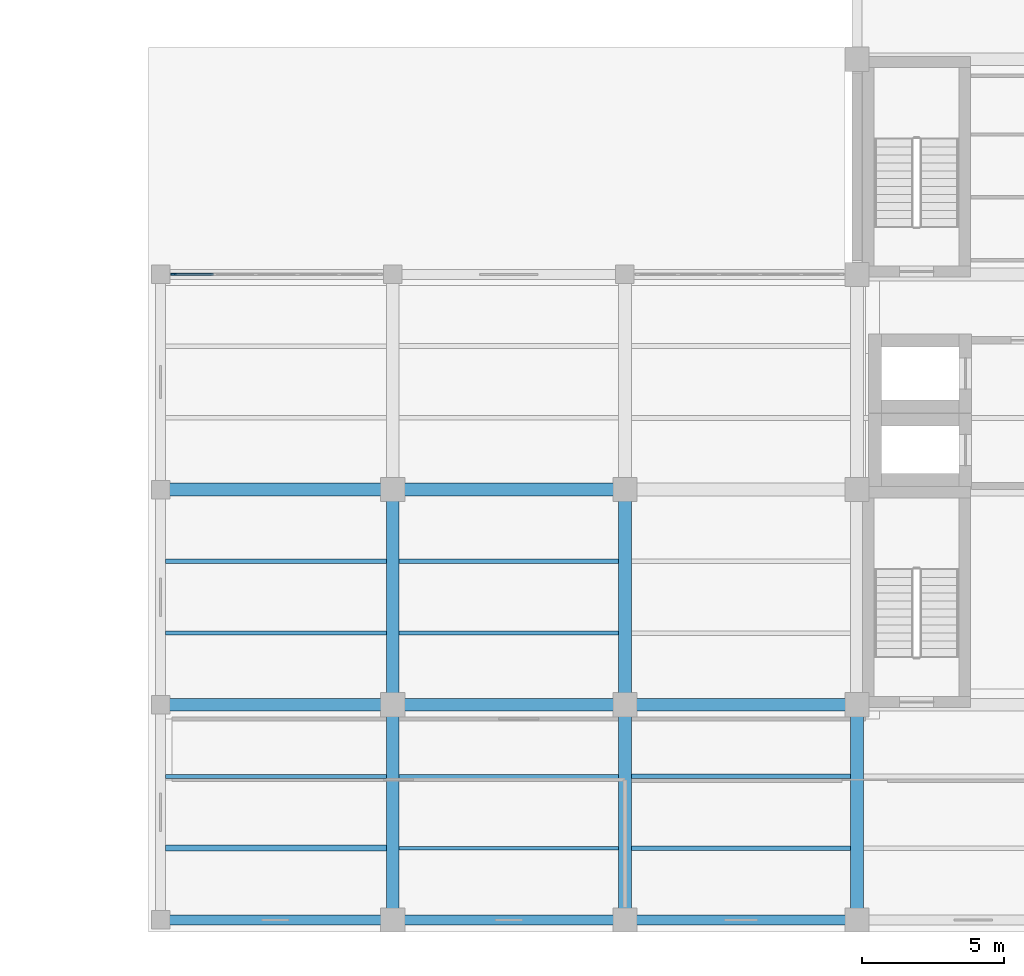
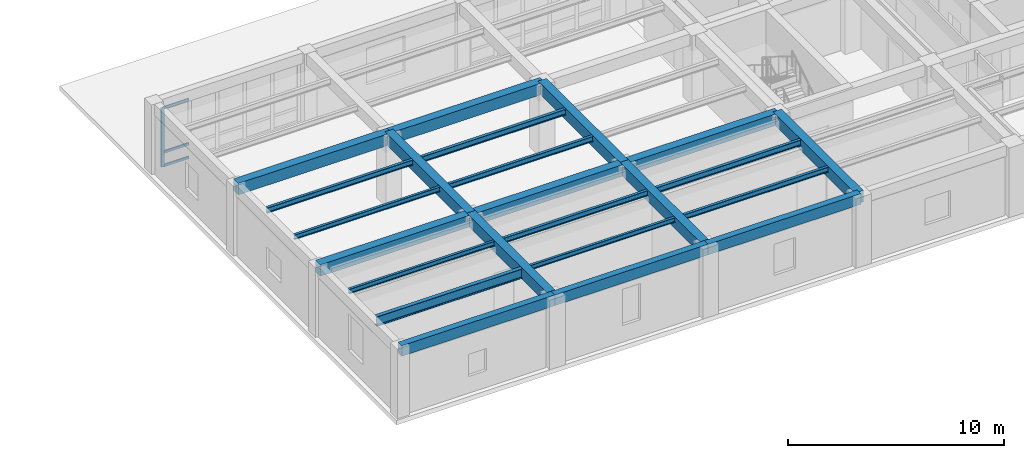
# One storey, part 2 of 22: 23 beams, 4 members, 1 element without a shape of its own.
"""IFC4 building model written with IfcOpenShell, lengths in metres."""

from ifc_helpers import new_model, si_unit, direction, frame, origin, origin_2d, place, context, subcontext, project, spatial, rectangle, i_section, extrude, material, material_profile, profile_set, type_object, element, aggregate, save


model = new_model("IFC4")

# Units and contexts
model_context = context("Model", 3, precision=1e-05, world=origin(), true_north=direction((0.0, 1.0)))
body_context = subcontext(model_context, "Body", "Model", "MODEL_VIEW")
ifc_project = project(units=[si_unit("LENGTHUNIT", "METRE"), si_unit("AREAUNIT", "SQUARE_METRE"), si_unit("VOLUMEUNIT", "CUBIC_METRE"), si_unit("PLANEANGLEUNIT", "RADIAN"), si_unit("MASSUNIT", "GRAM", prefix="KILO")], contexts=[model_context])

# Site, building, storey
site_placement = place(None, origin())
site = spatial("IfcSite", under=ifc_project, at=site_placement, CompositionType="ELEMENT")
building_placement = place(site_placement, origin())
building = spatial("IfcBuilding", under=site, at=building_placement, Name="Qandaris Square Conservatory and Botanical Centre", CompositionType="ELEMENT")
storey_placement = place(building_placement, frame((0.0, 0.0, 19.800048828125)))
storey = spatial("IfcBuildingStorey", under=building, at=storey_placement, Name="L04", CompositionType="ELEMENT", Elevation=19.800048828125)

# Beams
ifc_material_1 = material(Name="Steel S355", Category="steel")
ifc_material_profile_1 = material_profile(ifc_material_1, i_section(OverallWidth=0.14990234375, OverallDepth=0.300048828125, WebThickness=0.007080078125, FlangeThickness=0.0107421875, FilletRadius=0.014892578125, at=origin_2d()), Name="IPE 300")
ifc_profile_set_1 = profile_set([ifc_material_profile_1], Name="Steel S355")
beam_type_1 = type_object("IfcBeamType", Name="Composite Lab Joist IPE 300", PredefinedType="JOIST", material=ifc_profile_set_1)
beam_1_placement = place(storey_placement, frame((114.77490234375, 29.2666015625, 3.780029296875), z_axis=(1.0, 0.0, 0.0), x_axis=(0.0, 1.0, 0.0)))
element("IfcBeam", 1, at=beam_1_placement, inside=storey, type_object=beam_type_1, Name="L04 Composite Joist 1770", PredefinedType="JOIST", context=body_context, shape_type="SweptSolid", body=[
    extrude(i_section(OverallWidth=0.14990234375, OverallDepth=0.300048828125, WebThickness=0.007080078125, FlangeThickness=0.0107421875, FilletRadius=0.014892578125, at=origin_2d()), origin(), (0.0, 0.0, 1.0), 7.800048828125),
])
for number, where, z_axis, x_axis, name in (
    (2, (123.02490234375, 21.666748046875, 3.780029296875), (1.0, 0.0, 0.0), (0.0, 1.0, 0.0), "L04 Composite Joist 1774"),
    (3, (123.02490234375, 26.7333984375, 3.780029296875), (1.0, 0.0, 0.0), (0.0, 1.0, 0.0), "L04 Composite Joist 1775"),
    (4, (131.22509765625, 19.13330078125, 3.780029296875), (1.0, 0.0, 0.0), (0.0, 1.0, 0.0), "L04 Composite Joist 1779"),
):
    element("IfcBeam", number, at=place(storey_placement, frame(where, z_axis=z_axis, x_axis=x_axis)), inside=storey, type_object=beam_type_1, Name=name, PredefinedType="JOIST", context=body_context, shape_type="SweptSolid", body=[
        extrude(i_section(OverallWidth=0.14990234375, OverallDepth=0.300048828125, WebThickness=0.007080078125, FlangeThickness=0.0107421875, FilletRadius=0.014892578125, at=origin_2d()), origin(), (0.0, 0.0, 1.0), 7.75),
    ])
ifc_material_profile_2 = material_profile(ifc_material_1, i_section(OverallWidth=0.159912109375, OverallDepth=0.330078125, WebThickness=0.007568359375, FlangeThickness=0.011474609375, FilletRadius=0.01806640625, at=origin_2d()), Name="IPE 330")
ifc_profile_set_2 = profile_set([ifc_material_profile_2], Name="Steel S355")
beam_type_2 = type_object("IfcBeamType", Name="Composite Lab Joist IPE 330", PredefinedType="JOIST", material=ifc_profile_set_2)
for number, where, z_axis, x_axis, name in (
    (5, (123.02490234375, 29.2666015625, 3.764892578125), (1.0, 0.0, 0.0), (0.0, 1.0, 0.0), "L04 Composite Joist 1776"),
    (6, (131.22509765625, 21.666748046875, 3.764892578125), (1.0, 0.0, 0.0), (0.0, 1.0, 0.0), "L04 Composite Joist 1780"),
):
    element("IfcBeam", number, at=place(storey_placement, frame(where, z_axis=z_axis, x_axis=x_axis)), inside=storey, type_object=beam_type_2, Name=name, PredefinedType="JOIST", context=body_context, shape_type="SweptSolid", body=[
        extrude(i_section(OverallWidth=0.159912109375, OverallDepth=0.330078125, WebThickness=0.007568359375, FlangeThickness=0.011474609375, FilletRadius=0.01806640625, at=origin_2d()), origin(), (0.0, 0.0, 1.0), 7.75),
    ])

# Curtain wall, members
ifc_material_2 = material(Name="Anodised Aluminium", Category="aluminium")
curtain_wall_type = type_object("IfcCurtainWallType", Name="Unitised Curtain Wall CW-4-735x334", PredefinedType="USERDEFINED", material=ifc_material_2)
curtain_wall_placement = place(storey_placement, origin())
curtain_wall = element("IfcCurtainWall", 7, at=curtain_wall_placement, inside=storey, type_object=curtain_wall_type, Name="Curtain Wall CW-TWR-L04-5-3", ObjectType="GLAZED CURTAIN WALL", PredefinedType="USERDEFINED")
ifc_material_profile_3 = material_profile(ifc_material_2, rectangle(XDim=0.06494140625, YDim=0.179931640625, at=origin_2d()), Name="ALU-MUL 65x180")
ifc_profile_set_3 = profile_set([ifc_material_profile_3], Name="Anodised Aluminium")
member_type_1 = type_object("IfcMemberType", Name="Curtain Wall Mullion 65x180", PredefinedType="MULLION", material=ifc_profile_set_3)
member_1_placement = place(storey_placement, frame((115.0576171875, 39.39990234375, 0.0), z_axis=(0.0, 0.0, 1.0), x_axis=(0.0, -1.0, 0.0)))
member_1 = element("IfcMember", 8, at=member_1_placement, type_object=member_type_1, Name="CW-4-735x334 mullion 6", PredefinedType="MULLION", context=body_context, shape_type="SweptSolid", body=[
    extrude(rectangle(XDim=0.06494140625, YDim=0.179931640625, at=origin_2d()), origin(), (0.0, 0.0, 1.0), 3.33984375),
])
ifc_material_profile_4 = material_profile(ifc_material_2, rectangle(XDim=0.06494140625, YDim=0.139892578125, at=origin_2d()), Name="ALU-TRN 65x140")
ifc_profile_set_4 = profile_set([ifc_material_profile_4], Name="Anodised Aluminium")
member_type_2 = type_object("IfcMemberType", Name="Curtain Wall Transom 65x140", PredefinedType="USERDEFINED", material=ifc_profile_set_4)
member_2_placement = place(storey_placement, frame((116.46240234375, 39.39990234375, 0.032470703125), z_axis=(-1.0, 0.0, 0.0), x_axis=(0.0, -1.0, 0.0)))
member_2 = element("IfcMember", 9, at=member_2_placement, type_object=member_type_2, Name="CW-4-735x334 transom 5.1", ObjectType="TRANSOM", PredefinedType="USERDEFINED", context=body_context, shape_type="SweptSolid", body=[
    extrude(rectangle(XDim=0.06494140625, YDim=0.139892578125, at=origin_2d()), origin(), (0.0, 0.0, 1.0), 1.372314453125),
])
member_3_placement = place(storey_placement, frame((116.46240234375, 39.39990234375, 0.801513671875), z_axis=(-1.0, 0.0, 0.0), x_axis=(0.0, -1.0, 0.0)))
member_3 = element("IfcMember", 10, at=member_3_placement, type_object=member_type_2, Name="CW-4-735x334 transom 5.2", ObjectType="TRANSOM", PredefinedType="USERDEFINED", context=body_context, shape_type="SweptSolid", body=[
    extrude(rectangle(XDim=0.06494140625, YDim=0.139892578125, at=origin_2d()), origin(), (0.0, 0.0, 1.0), 1.372314453125),
])
member_4_placement = place(storey_placement, frame((116.46240234375, 39.39990234375, 3.307373046875), z_axis=(-1.0, 0.0, 0.0), x_axis=(0.0, -1.0, 0.0)))
member_4 = element("IfcMember", 11, at=member_4_placement, type_object=member_type_2, Name="CW-4-735x334 transom 5.3", ObjectType="TRANSOM", PredefinedType="USERDEFINED", context=body_context, shape_type="SweptSolid", body=[
    extrude(rectangle(XDim=0.06494140625, YDim=0.139892578125, at=origin_2d()), origin(), (0.0, 0.0, 1.0), 1.372314453125),
])
aggregate(curtain_wall, [member_1, member_2, member_3, member_4])

# Beams
ifc_material_profile_5 = material_profile(ifc_material_1, i_section(OverallWidth=0.2099609375, OverallDepth=0.550048828125, WebThickness=0.010986328125, FlangeThickness=0.01708984375, FilletRadius=0.02392578125, at=origin_2d()), Name="IPE 550")
ifc_profile_set_5 = profile_set([ifc_material_profile_5], Name="Steel S355")
beam_type_3 = type_object("IfcBeamType", Name="Long-Span Foyer Joist IPE 550", PredefinedType="JOIST", material=ifc_profile_set_5)
beam_2_placement = place(storey_placement, frame((114.77490234375, 19.13330078125, 3.655029296875), z_axis=(1.0, 0.0, 0.0), x_axis=(0.0, 1.0, 0.0)))
element("IfcBeam", 12, at=beam_2_placement, inside=storey, type_object=beam_type_3, Name="L04 Composite Joist 1767", PredefinedType="JOIST", context=body_context, shape_type="SweptSolid", body=[
    extrude(i_section(OverallWidth=0.2099609375, OverallDepth=0.550048828125, WebThickness=0.010986328125, FlangeThickness=0.01708984375, FilletRadius=0.02392578125, at=origin_2d()), origin(), (0.0, 0.0, 1.0), 7.800048828125),
])
ifc_material_3 = material(Name="Concrete C50/60", Category="concrete")
ifc_material_profile_6 = material_profile(ifc_material_3, rectangle(XDim=0.35009765625, YDim=0.60009765625, at=origin_2d()), Name="RC-SP 350x600")
ifc_profile_set_6 = profile_set([ifc_material_profile_6], Name="Concrete C50/60")
beam_type_4 = type_object("IfcBeamType", Name="RC Edge Spandrel Beam 350x600", PredefinedType="SPANDREL", material=ifc_profile_set_6)
for number, where, z_axis, x_axis, name in (
    (13, (114.60009765625, 16.60009765625, 3.639892578125), (1.0, 0.0, 0.0), (0.0, 1.0, 0.0), "L04 Frame Beam 1689"),
    (14, (122.800048828125, 16.60009765625, 3.639892578125), (1.0, 0.0, 0.0), (0.0, 1.0, 0.0), "L04 Frame Beam 1690"),
    (15, (131.0, 16.60009765625, 3.639892578125), (1.0, 0.0, 0.0), (0.0, 1.0, 0.0), "L04 Frame Beam 1691"),
):
    element("IfcBeam", number, at=place(storey_placement, frame(where, z_axis=z_axis, x_axis=x_axis)), inside=storey, type_object=beam_type_4, Name=name, PredefinedType="SPANDREL", context=body_context, shape_type="SweptSolid", body=[
        extrude(rectangle(XDim=0.35009765625, YDim=0.60009765625, at=origin_2d()), origin(), (0.0, 0.0, 1.0), 8.199951171875),
    ])
ifc_material_profile_7 = material_profile(ifc_material_3, rectangle(XDim=0.449951171875, YDim=0.64990234375, at=origin_2d()), Name="RC-BM 450x650")
ifc_profile_set_7 = profile_set([ifc_material_profile_7], Name="Concrete C50/60")
beam_type_5 = type_object("IfcBeamType", Name="RC Floor Girder 450x650", PredefinedType="BEAM", material=ifc_profile_set_7)
for number, where, z_axis, x_axis, name in (
    (16, (114.60009765625, 24.199951171875, 3.614990234375), (1.0, 0.0, 0.0), (0.0, 1.0, 0.0), "L04 Frame Beam 1695"),
    (17, (122.800048828125, 24.199951171875, 3.614990234375), (1.0, 0.0, 0.0), (0.0, 1.0, 0.0), "L04 Frame Beam 1696"),
    (18, (131.0, 24.199951171875, 3.614990234375), (1.0, 0.0, 0.0), (0.0, 1.0, 0.0), "L04 Frame Beam 1697"),
    (19, (114.60009765625, 31.800048828125, 3.614990234375), (1.0, 0.0, 0.0), (0.0, 1.0, 0.0), "L04 Frame Beam 1701"),
    (20, (122.800048828125, 31.800048828125, 3.614990234375), (1.0, 0.0, 0.0), (0.0, 1.0, 0.0), "L04 Frame Beam 1702"),
):
    element("IfcBeam", number, at=place(storey_placement, frame(where, z_axis=z_axis, x_axis=x_axis)), inside=storey, type_object=beam_type_5, Name=name, PredefinedType="BEAM", context=body_context, shape_type="SweptSolid", body=[
        extrude(rectangle(XDim=0.449951171875, YDim=0.64990234375, at=origin_2d()), origin(), (0.0, 0.0, 1.0), 8.199951171875),
    ])
beam_3_placement = place(storey_placement, frame((122.800048828125, 16.60009765625, 3.614990234375), z_axis=(0.0, 1.0, 0.0), x_axis=(-1.0, 0.0, 0.0)))
element("IfcBeam", 21, at=beam_3_placement, inside=storey, type_object=beam_type_5, Name="L04 Frame Beam 1729", PredefinedType="BEAM", context=body_context, shape_type="SweptSolid", body=[
    extrude(rectangle(XDim=0.449951171875, YDim=0.64990234375, at=origin_2d()), origin(), (0.0, 0.0, 1.0), 7.599853515625),
])
beam_4_placement = place(storey_placement, frame((122.800048828125, 24.199951171875, 3.614990234375), z_axis=(0.0, 1.0, 0.0), x_axis=(-1.0, 0.0, 0.0)))
element("IfcBeam", 22, at=beam_4_placement, inside=storey, type_object=beam_type_5, Name="L04 Frame Beam 1730", PredefinedType="BEAM", context=body_context, shape_type="SweptSolid", body=[
    extrude(rectangle(XDim=0.449951171875, YDim=0.64990234375, at=origin_2d()), origin(), (0.0, 0.0, 1.0), 7.60009765625),
])
beam_5_placement = place(storey_placement, frame((131.0, 16.60009765625, 3.614990234375), z_axis=(0.0, 1.0, 0.0), x_axis=(-1.0, 0.0, 0.0)))
element("IfcBeam", 23, at=beam_5_placement, inside=storey, type_object=beam_type_5, Name="L04 Frame Beam 1732", PredefinedType="BEAM", context=body_context, shape_type="SweptSolid", body=[
    extrude(rectangle(XDim=0.449951171875, YDim=0.64990234375, at=origin_2d()), origin(), (0.0, 0.0, 1.0), 7.599853515625),
])
beam_6_placement = place(storey_placement, frame((131.0, 24.199951171875, 3.614990234375), z_axis=(0.0, 1.0, 0.0), x_axis=(-1.0, 0.0, 0.0)))
element("IfcBeam", 24, at=beam_6_placement, inside=storey, type_object=beam_type_5, Name="L04 Frame Beam 1733", PredefinedType="BEAM", context=body_context, shape_type="SweptSolid", body=[
    extrude(rectangle(XDim=0.449951171875, YDim=0.64990234375, at=origin_2d()), origin(), (0.0, 0.0, 1.0), 7.60009765625),
])
beam_7_placement = place(storey_placement, frame((139.199951171875, 16.60009765625, 3.614990234375), z_axis=(0.0, 1.0, 0.0), x_axis=(-1.0, 0.0, 0.0)))
element("IfcBeam", 25, at=beam_7_placement, inside=storey, type_object=beam_type_5, Name="L04 Frame Beam 1735", PredefinedType="BEAM", context=body_context, shape_type="SweptSolid", body=[
    extrude(rectangle(XDim=0.449951171875, YDim=0.64990234375, at=origin_2d()), origin(), (0.0, 0.0, 1.0), 7.599853515625),
])
ifc_material_profile_8 = material_profile(ifc_material_1, i_section(OverallWidth=0.135009765625, OverallDepth=0.27001953125, WebThickness=0.006591796875, FlangeThickness=0.01025390625, FilletRadius=0.014892578125, at=origin_2d()), Name="IPE 270")
ifc_profile_set_8 = profile_set([ifc_material_profile_8], Name="Steel S355")
beam_type_6 = type_object("IfcBeamType", Name="Steel Floor Joist IPE 270", PredefinedType="JOIST", material=ifc_profile_set_8)
for number, where, z_axis, x_axis, name in (
    (26, (114.77490234375, 21.666748046875, 3.794921875), (1.0, 0.0, 0.0), (0.0, 1.0, 0.0), "L04 Composite Joist 1768"),
    (27, (114.77490234375, 26.7333984375, 3.794921875), (1.0, 0.0, 0.0), (0.0, 1.0, 0.0), "L04 Composite Joist 1769"),
):
    element("IfcBeam", number, at=place(storey_placement, frame(where, z_axis=z_axis, x_axis=x_axis)), inside=storey, type_object=beam_type_6, Name=name, PredefinedType="JOIST", context=body_context, shape_type="SweptSolid", body=[
        extrude(i_section(OverallWidth=0.135009765625, OverallDepth=0.27001953125, WebThickness=0.006591796875, FlangeThickness=0.01025390625, FilletRadius=0.014892578125, at=origin_2d()), origin(), (0.0, 0.0, 1.0), 7.800048828125),
    ])
beam_8_placement = place(storey_placement, frame((123.02490234375, 19.13330078125, 3.794921875), z_axis=(1.0, 0.0, 0.0), x_axis=(0.0, 1.0, 0.0)))
element("IfcBeam", 28, at=beam_8_placement, inside=storey, type_object=beam_type_6, Name="L04 Composite Joist 1773", PredefinedType="JOIST", context=body_context, shape_type="SweptSolid", body=[
    extrude(i_section(OverallWidth=0.135009765625, OverallDepth=0.27001953125, WebThickness=0.006591796875, FlangeThickness=0.01025390625, FilletRadius=0.014892578125, at=origin_2d()), origin(), (0.0, 0.0, 1.0), 7.75),
])

save(model, "model.ifc")
